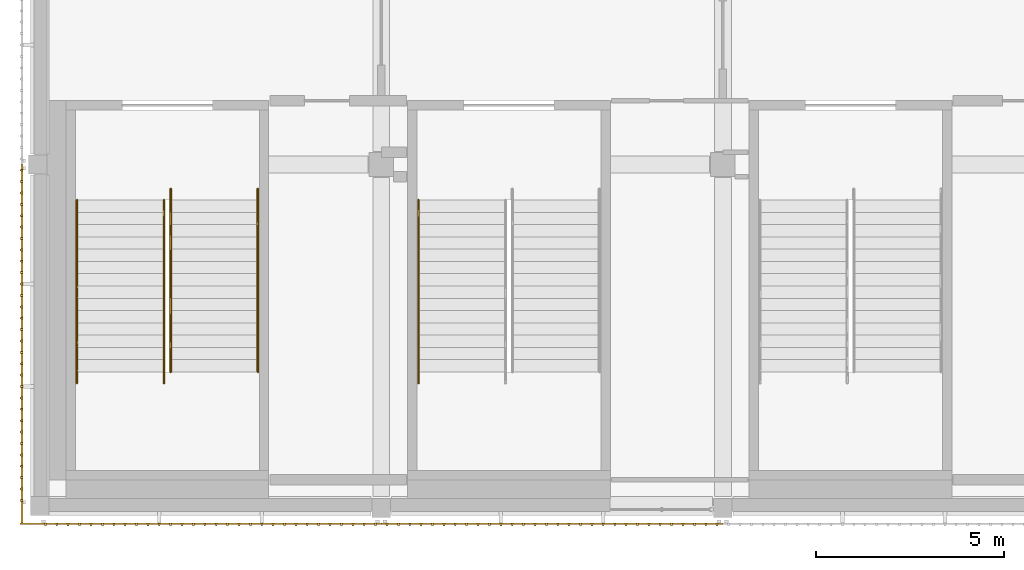
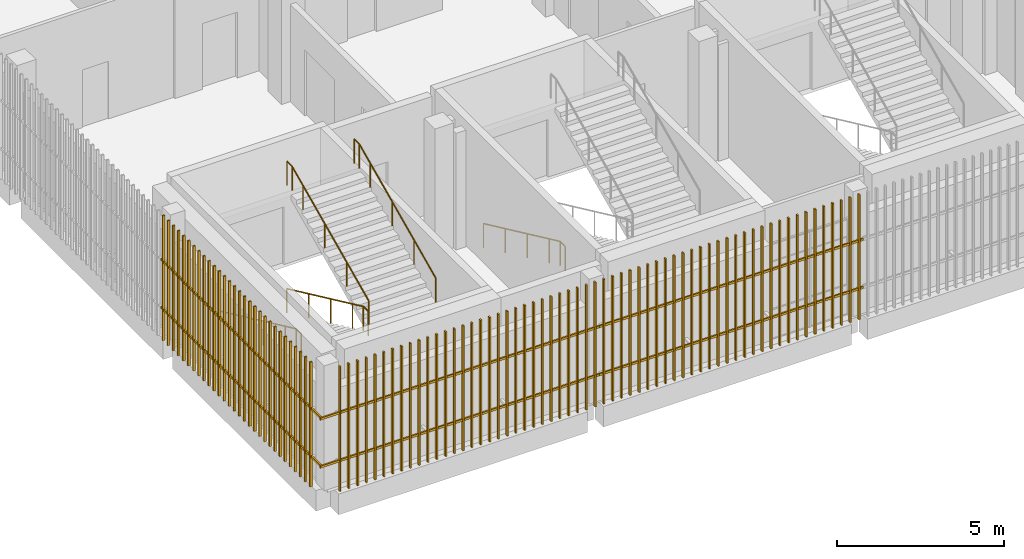
# One storey, part 87 of 104: 5 railings, 3 shading devices.
"""IFC4 building model written with IfcOpenShell, lengths in metres."""

from ifc_helpers import new_model, si_unit, direction, frame, origin, origin_2d, place, context, subcontext, project, spatial, rectangle, circle, extrude, material, type_object, element, save


model = new_model("IFC4")

# Units and contexts
model_context = context("Model", 3, precision=1e-05, world=origin(), true_north=direction((0.0, 1.0)))
body_context = subcontext(model_context, "Body", "Model", "MODEL_VIEW")
ifc_project = project(units=[si_unit("LENGTHUNIT", "METRE"), si_unit("AREAUNIT", "SQUARE_METRE"), si_unit("VOLUMEUNIT", "CUBIC_METRE"), si_unit("PLANEANGLEUNIT", "RADIAN"), si_unit("MASSUNIT", "GRAM", prefix="KILO")], contexts=[model_context])

# Site, building, storey
site_placement = place(None, origin())
site = spatial("IfcSite", under=ifc_project, at=site_placement, CompositionType="ELEMENT")
building_placement = place(site_placement, origin())
building = spatial("IfcBuilding", under=site, at=building_placement, Name="Shirokan Park Arena", CompositionType="ELEMENT")
storey_placement = place(building_placement, frame((0.0, 0.0, 10.919921875)))
storey = spatial("IfcBuildingStorey", under=building, at=storey_placement, Name="L02", CompositionType="ELEMENT", Elevation=10.919921875)

# Railings
ifc_material_1 = material(Name="Stainless steel", Category="steel")
railing_type = type_object("IfcRailingType", Name="Stair handrail 900", PredefinedType="HANDRAIL", material=ifc_material_1)
railing_1_placement = place(storey_placement, frame((0.989990234375, 8.14990234375, 0.15185546875)))
element("IfcRailing", 1, at=railing_1_placement, inside=storey, type_object=railing_type, Name="Handrail Exit Stair 1.A L02 to L03", PredefinedType="HANDRAIL", context=body_context, shape_type="SweptSolid", body=[
    extrude(circle(Radius=0.02392578125, at=origin_2d()), frame((0.0, 0.0, 0.8759765625), z_axis=(0.0, -0.907064445915, 0.420991794405), x_axis=(1.0, 0.0, 0.0)), (0.0, 0.0, 1.0), 1.4404296875),
    extrude(circle(Radius=0.02392578125, at=origin_2d()), frame((0.0, -1.306640625, 1.482421875), z_axis=(0.0, -0.907029769225, 0.421066500378), x_axis=(1.0, 0.0, 0.0)), (0.0, 0.0, 1.0), 1.44091796875),
    extrude(circle(Radius=0.02392578125, at=origin_2d()), frame((0.0, -2.613525390625, 2.0888671875), z_axis=(0.0, -0.907029769225, 0.421066500378), x_axis=(1.0, 0.0, 0.0)), (0.0, 0.0, 1.0), 1.44091796875),
    extrude(circle(Radius=0.02392578125, at=origin_2d()), frame((0.0, -3.92041015625, 2.69580078125), z_axis=(0.0, -0.906934982928, 0.421270621741), x_axis=(1.0, 0.0, 0.0)), (0.0, 0.0, 1.0), 0.720458984375),
    extrude(circle(Radius=0.02392578125, at=origin_2d()), frame((0.0, -4.57373046875, 2.9990234375), z_axis=(0.0, -1.0, 0.0), x_axis=(1.0, 0.0, 0.0)), (0.0, 0.0, 1.0), 0.300048828125),
    extrude(circle(Radius=0.02099609375, at=origin_2d()), origin(), (0.0, 0.0, 1.0), 0.851806640625),
    extrude(circle(Radius=0.02099609375, at=origin_2d()), frame((0.0, -1.306640625, 0.6064453125)), (0.0, 0.0, 1.0), 0.851806640625),
    extrude(circle(Radius=0.02099609375, at=origin_2d()), frame((0.0, -2.613525390625, 1.213134765625)), (0.0, 0.0, 1.0), 0.851806640625),
    extrude(circle(Radius=0.02099609375, at=origin_2d()), frame((0.0, -3.92041015625, 1.81982421875)), (0.0, 0.0, 1.0), 0.851806640625),
    extrude(circle(Radius=0.02099609375, at=origin_2d()), frame((0.0, -4.57373046875, 2.123291015625)), (0.0, 0.0, 1.0), 0.851806640625),
    extrude(circle(Radius=0.02099609375, at=origin_2d()), frame((0.0, -4.873779296875, 2.123291015625)), (0.0, 0.0, 1.0), 0.851806640625),
])
railing_2_placement = place(storey_placement, frame((3.31005859375, 8.14990234375, 0.15185546875)))
element("IfcRailing", 2, at=railing_2_placement, inside=storey, type_object=railing_type, Name="Handrail Exit Stair 1.A L02 to L03", PredefinedType="HANDRAIL", context=body_context, shape_type="SweptSolid", body=[
    extrude(circle(Radius=0.02392578125, at=origin_2d()), frame((0.0, 0.0, 0.8759765625), z_axis=(0.0, -0.907064445915, 0.420991794405), x_axis=(1.0, 0.0, 0.0)), (0.0, 0.0, 1.0), 1.4404296875),
    extrude(circle(Radius=0.02392578125, at=origin_2d()), frame((0.0, -1.306640625, 1.482421875), z_axis=(0.0, -0.907029769225, 0.421066500378), x_axis=(1.0, 0.0, 0.0)), (0.0, 0.0, 1.0), 1.44091796875),
    extrude(circle(Radius=0.02392578125, at=origin_2d()), frame((0.0, -2.613525390625, 2.0888671875), z_axis=(0.0, -0.907029769225, 0.421066500378), x_axis=(1.0, 0.0, 0.0)), (0.0, 0.0, 1.0), 1.44091796875),
    extrude(circle(Radius=0.02392578125, at=origin_2d()), frame((0.0, -3.92041015625, 2.69580078125), z_axis=(0.0, -0.906934982928, 0.421270621741), x_axis=(1.0, 0.0, 0.0)), (0.0, 0.0, 1.0), 0.720458984375),
    extrude(circle(Radius=0.02392578125, at=origin_2d()), frame((0.0, -4.57373046875, 2.9990234375), z_axis=(0.0, -1.0, 0.0), x_axis=(1.0, 0.0, 0.0)), (0.0, 0.0, 1.0), 0.300048828125),
    extrude(circle(Radius=0.02099609375, at=origin_2d()), origin(), (0.0, 0.0, 1.0), 0.851806640625),
    extrude(circle(Radius=0.02099609375, at=origin_2d()), frame((0.0, -1.306640625, 0.6064453125)), (0.0, 0.0, 1.0), 0.851806640625),
    extrude(circle(Radius=0.02099609375, at=origin_2d()), frame((0.0, -2.613525390625, 1.213134765625)), (0.0, 0.0, 1.0), 0.851806640625),
    extrude(circle(Radius=0.02099609375, at=origin_2d()), frame((0.0, -3.92041015625, 1.81982421875)), (0.0, 0.0, 1.0), 0.851806640625),
    extrude(circle(Radius=0.02099609375, at=origin_2d()), frame((0.0, -4.57373046875, 2.123291015625)), (0.0, 0.0, 1.0), 0.851806640625),
    extrude(circle(Radius=0.02099609375, at=origin_2d()), frame((0.0, -4.873779296875, 2.123291015625)), (0.0, 0.0, 1.0), 0.851806640625),
])
railing_3_placement = place(storey_placement, frame((3.489990234375, 3.576171875, 2.4267578125)))
element("IfcRailing", 3, at=railing_3_placement, inside=storey, type_object=railing_type, Name="Handrail Exit Stair 1.A L02 to L03", PredefinedType="HANDRAIL", context=body_context, shape_type="SweptSolid", body=[
    extrude(circle(Radius=0.02392578125, at=origin_2d()), frame((0.0, 0.0, 0.8759765625), z_axis=(0.0, 0.907029769225, 0.421066500378), x_axis=(-1.0, 0.0, 0.0)), (0.0, 0.0, 1.0), 1.44091796875),
    extrude(circle(Radius=0.02392578125, at=origin_2d()), frame((0.0, 1.306884765625, 1.482421875), z_axis=(0.0, 0.906999720516, 0.421131222998), x_axis=(-1.0, 0.0, 0.0)), (0.0, 0.0, 1.0), 1.440673828125),
    extrude(circle(Radius=0.02392578125, at=origin_2d()), frame((0.0, 2.613525390625, 2.08935546875), z_axis=(0.0, 0.907029769225, 0.421066500378), x_axis=(-1.0, 0.0, 0.0)), (0.0, 0.0, 1.0), 1.44091796875),
    extrude(circle(Radius=0.02392578125, at=origin_2d()), frame((0.0, 3.92041015625, 2.69580078125), z_axis=(0.0, 0.907064445915, 0.420991794405), x_axis=(-1.0, 0.0, 0.0)), (0.0, 0.0, 1.0), 0.72021484375),
    extrude(circle(Radius=0.02392578125, at=origin_2d()), frame((0.0, 4.57373046875, 2.9990234375), z_axis=(0.0, 1.0, 0.0), x_axis=(-1.0, 0.0, 0.0)), (0.0, 0.0, 1.0), 0.300048828125),
    extrude(circle(Radius=0.02099609375, at=origin_2d()), origin(), (0.0, 0.0, 1.0), 0.851806640625),
    extrude(circle(Radius=0.02099609375, at=origin_2d()), frame((0.0, 1.306884765625, 0.606689453125)), (0.0, 0.0, 1.0), 0.851806640625),
    extrude(circle(Radius=0.02099609375, at=origin_2d()), frame((0.0, 2.613525390625, 1.21337890625)), (0.0, 0.0, 1.0), 0.851806640625),
    extrude(circle(Radius=0.02099609375, at=origin_2d()), frame((0.0, 3.92041015625, 1.820068359375)), (0.0, 0.0, 1.0), 0.851806640625),
    extrude(circle(Radius=0.02099609375, at=origin_2d()), frame((0.0, 4.57373046875, 2.123291015625)), (0.0, 0.0, 1.0), 0.851806640625),
    extrude(circle(Radius=0.02099609375, at=origin_2d()), frame((0.0, 4.873779296875, 2.123291015625)), (0.0, 0.0, 1.0), 0.851806640625),
])
railing_4_placement = place(storey_placement, frame((5.81005859375, 3.576171875, 2.4267578125)))
element("IfcRailing", 4, at=railing_4_placement, inside=storey, type_object=railing_type, Name="Handrail Exit Stair 1.A L02 to L03", PredefinedType="HANDRAIL", context=body_context, shape_type="SweptSolid", body=[
    extrude(circle(Radius=0.02392578125, at=origin_2d()), frame((0.0, 0.0, 0.8759765625), z_axis=(0.0, 0.907029769225, 0.421066500378), x_axis=(-1.0, 0.0, 0.0)), (0.0, 0.0, 1.0), 1.44091796875),
    extrude(circle(Radius=0.02392578125, at=origin_2d()), frame((0.0, 1.306884765625, 1.482421875), z_axis=(0.0, 0.906999720516, 0.421131222998), x_axis=(-1.0, 0.0, 0.0)), (0.0, 0.0, 1.0), 1.440673828125),
    extrude(circle(Radius=0.02392578125, at=origin_2d()), frame((0.0, 2.613525390625, 2.08935546875), z_axis=(0.0, 0.907029769225, 0.421066500378), x_axis=(-1.0, 0.0, 0.0)), (0.0, 0.0, 1.0), 1.44091796875),
    extrude(circle(Radius=0.02392578125, at=origin_2d()), frame((0.0, 3.92041015625, 2.69580078125), z_axis=(0.0, 0.907064445915, 0.420991794405), x_axis=(-1.0, 0.0, 0.0)), (0.0, 0.0, 1.0), 0.72021484375),
    extrude(circle(Radius=0.02392578125, at=origin_2d()), frame((0.0, 4.57373046875, 2.9990234375), z_axis=(0.0, 1.0, 0.0), x_axis=(-1.0, 0.0, 0.0)), (0.0, 0.0, 1.0), 0.300048828125),
    extrude(circle(Radius=0.02099609375, at=origin_2d()), origin(), (0.0, 0.0, 1.0), 0.851806640625),
    extrude(circle(Radius=0.02099609375, at=origin_2d()), frame((0.0, 1.306884765625, 0.606689453125)), (0.0, 0.0, 1.0), 0.851806640625),
    extrude(circle(Radius=0.02099609375, at=origin_2d()), frame((0.0, 2.613525390625, 1.21337890625)), (0.0, 0.0, 1.0), 0.851806640625),
    extrude(circle(Radius=0.02099609375, at=origin_2d()), frame((0.0, 3.92041015625, 1.820068359375)), (0.0, 0.0, 1.0), 0.851806640625),
    extrude(circle(Radius=0.02099609375, at=origin_2d()), frame((0.0, 4.57373046875, 2.123291015625)), (0.0, 0.0, 1.0), 0.851806640625),
    extrude(circle(Radius=0.02099609375, at=origin_2d()), frame((0.0, 4.873779296875, 2.123291015625)), (0.0, 0.0, 1.0), 0.851806640625),
])
railing_5_placement = place(storey_placement, frame((10.090087890625, 8.14990234375, 0.15185546875)))
element("IfcRailing", 5, at=railing_5_placement, inside=storey, type_object=railing_type, Name="Handrail Exit Stair 1.B L02 to L03", PredefinedType="HANDRAIL", context=body_context, shape_type="SweptSolid", body=[
    extrude(circle(Radius=0.02392578125, at=origin_2d()), frame((0.0, 0.0, 0.8759765625), z_axis=(0.0, -0.907064445915, 0.420991794405), x_axis=(1.0, 0.0, 0.0)), (0.0, 0.0, 1.0), 1.4404296875),
    extrude(circle(Radius=0.02392578125, at=origin_2d()), frame((0.0, -1.306640625, 1.482421875), z_axis=(0.0, -0.907029769225, 0.421066500378), x_axis=(1.0, 0.0, 0.0)), (0.0, 0.0, 1.0), 1.44091796875),
    extrude(circle(Radius=0.02392578125, at=origin_2d()), frame((0.0, -2.613525390625, 2.0888671875), z_axis=(0.0, -0.907029769225, 0.421066500378), x_axis=(1.0, 0.0, 0.0)), (0.0, 0.0, 1.0), 1.44091796875),
    extrude(circle(Radius=0.02392578125, at=origin_2d()), frame((0.0, -3.92041015625, 2.69580078125), z_axis=(0.0, -0.906934982928, 0.421270621741), x_axis=(1.0, 0.0, 0.0)), (0.0, 0.0, 1.0), 0.720458984375),
    extrude(circle(Radius=0.02392578125, at=origin_2d()), frame((0.0, -4.57373046875, 2.9990234375), z_axis=(0.0, -1.0, 0.0), x_axis=(1.0, 0.0, 0.0)), (0.0, 0.0, 1.0), 0.300048828125),
    extrude(circle(Radius=0.02099609375, at=origin_2d()), origin(), (0.0, 0.0, 1.0), 0.851806640625),
    extrude(circle(Radius=0.02099609375, at=origin_2d()), frame((0.0, -1.306640625, 0.6064453125)), (0.0, 0.0, 1.0), 0.851806640625),
    extrude(circle(Radius=0.02099609375, at=origin_2d()), frame((0.0, -2.613525390625, 1.213134765625)), (0.0, 0.0, 1.0), 0.851806640625),
    extrude(circle(Radius=0.02099609375, at=origin_2d()), frame((0.0, -3.92041015625, 1.81982421875)), (0.0, 0.0, 1.0), 0.851806640625),
    extrude(circle(Radius=0.02099609375, at=origin_2d()), frame((0.0, -4.57373046875, 2.123291015625)), (0.0, 0.0, 1.0), 0.851806640625),
    extrude(circle(Radius=0.02099609375, at=origin_2d()), frame((0.0, -4.873779296875, 2.123291015625)), (0.0, 0.0, 1.0), 0.851806640625),
])

# Shading devices
ifc_material_2 = material(Name="Timber louvre veil (cedar)", Category="wood")
shading_device_type = type_object("IfcShadingDeviceType", Name="Timber louvre veil panel", PredefinedType="JALOUSIE", material=ifc_material_2)
shading_device_1_placement = place(storey_placement, origin())
element("IfcShadingDevice", 6, at=shading_device_1_placement, inside=storey, type_object=shading_device_type, Name="Timber louvre veil south bay 1 L02", PredefinedType="JALOUSIE", context=body_context, shape_type="SweptSolid", body=[
    extrude(rectangle(XDim=0.050048828125, YDim=0.080078125, at=origin_2d()), frame((0.151611328125, -0.485107421875, 0.0), z_axis=(0.0, 0.0, 1.0), x_axis=(1.0, 0.0, 0.0)), (0.0, 0.0, 1.0), 4.550048828125),
    extrude(rectangle(XDim=0.050048828125, YDim=0.080078125, at=origin_2d()), frame((0.455078125, -0.485107421875, 0.0), z_axis=(0.0, 0.0, 1.0), x_axis=(1.0, 0.0, 0.0)), (0.0, 0.0, 1.0), 4.550048828125),
    extrude(rectangle(XDim=0.050048828125, YDim=0.080078125, at=origin_2d()), frame((0.75830078125, -0.485107421875, 0.0), z_axis=(0.0, 0.0, 1.0), x_axis=(1.0, 0.0, 0.0)), (0.0, 0.0, 1.0), 4.550048828125),
    extrude(rectangle(XDim=0.050048828125, YDim=0.080078125, at=origin_2d()), frame((1.061767578125, -0.485107421875, 0.0), z_axis=(0.0, 0.0, 1.0), x_axis=(1.0, 0.0, 0.0)), (0.0, 0.0, 1.0), 4.550048828125),
    extrude(rectangle(XDim=0.050048828125, YDim=0.080078125, at=origin_2d()), frame((1.364990234375, -0.485107421875, 0.0), z_axis=(0.0, 0.0, 1.0), x_axis=(1.0, 0.0, 0.0)), (0.0, 0.0, 1.0), 4.550048828125),
    extrude(rectangle(XDim=0.050048828125, YDim=0.080078125, at=origin_2d()), frame((1.668212890625, -0.485107421875, 0.0), z_axis=(0.0, 0.0, 1.0), x_axis=(1.0, 0.0, 0.0)), (0.0, 0.0, 1.0), 4.550048828125),
    extrude(rectangle(XDim=0.050048828125, YDim=0.080078125, at=origin_2d()), frame((1.9716796875, -0.485107421875, 0.0), z_axis=(0.0, 0.0, 1.0), x_axis=(1.0, 0.0, 0.0)), (0.0, 0.0, 1.0), 4.550048828125),
    extrude(rectangle(XDim=0.050048828125, YDim=0.080078125, at=origin_2d()), frame((2.27490234375, -0.485107421875, 0.0), z_axis=(0.0, 0.0, 1.0), x_axis=(1.0, 0.0, 0.0)), (0.0, 0.0, 1.0), 4.550048828125),
    extrude(rectangle(XDim=0.050048828125, YDim=0.080078125, at=origin_2d()), frame((2.578369140625, -0.485107421875, 0.0), z_axis=(0.0, 0.0, 1.0), x_axis=(1.0, 0.0, 0.0)), (0.0, 0.0, 1.0), 4.550048828125),
    extrude(rectangle(XDim=0.050048828125, YDim=0.080078125, at=origin_2d()), frame((2.881591796875, -0.485107421875, 0.0), z_axis=(0.0, 0.0, 1.0), x_axis=(1.0, 0.0, 0.0)), (0.0, 0.0, 1.0), 4.550048828125),
    extrude(rectangle(XDim=0.050048828125, YDim=0.080078125, at=origin_2d()), frame((3.18505859375, -0.485107421875, 0.0), z_axis=(0.0, 0.0, 1.0), x_axis=(1.0, 0.0, 0.0)), (0.0, 0.0, 1.0), 4.550048828125),
    extrude(rectangle(XDim=0.050048828125, YDim=0.080078125, at=origin_2d()), frame((3.48828125, -0.485107421875, 0.0), z_axis=(0.0, 0.0, 1.0), x_axis=(1.0, 0.0, 0.0)), (0.0, 0.0, 1.0), 4.550048828125),
    extrude(rectangle(XDim=0.050048828125, YDim=0.080078125, at=origin_2d()), frame((3.791748046875, -0.485107421875, 0.0), z_axis=(0.0, 0.0, 1.0), x_axis=(1.0, 0.0, 0.0)), (0.0, 0.0, 1.0), 4.550048828125),
    extrude(rectangle(XDim=0.050048828125, YDim=0.080078125, at=origin_2d()), frame((4.094970703125, -0.485107421875, 0.0), z_axis=(0.0, 0.0, 1.0), x_axis=(1.0, 0.0, 0.0)), (0.0, 0.0, 1.0), 4.550048828125),
    extrude(rectangle(XDim=0.050048828125, YDim=0.080078125, at=origin_2d()), frame((4.3984375, -0.485107421875, 0.0), z_axis=(0.0, 0.0, 1.0), x_axis=(1.0, 0.0, 0.0)), (0.0, 0.0, 1.0), 4.550048828125),
    extrude(rectangle(XDim=0.050048828125, YDim=0.080078125, at=origin_2d()), frame((4.70166015625, -0.485107421875, 0.0), z_axis=(0.0, 0.0, 1.0), x_axis=(1.0, 0.0, 0.0)), (0.0, 0.0, 1.0), 4.550048828125),
    extrude(rectangle(XDim=0.050048828125, YDim=0.080078125, at=origin_2d()), frame((5.0048828125, -0.485107421875, 0.0), z_axis=(0.0, 0.0, 1.0), x_axis=(1.0, 0.0, 0.0)), (0.0, 0.0, 1.0), 4.550048828125),
    extrude(rectangle(XDim=0.050048828125, YDim=0.080078125, at=origin_2d()), frame((5.308349609375, -0.485107421875, 0.0), z_axis=(0.0, 0.0, 1.0), x_axis=(1.0, 0.0, 0.0)), (0.0, 0.0, 1.0), 4.550048828125),
    extrude(rectangle(XDim=0.050048828125, YDim=0.080078125, at=origin_2d()), frame((5.611572265625, -0.485107421875, 0.0), z_axis=(0.0, 0.0, 1.0), x_axis=(1.0, 0.0, 0.0)), (0.0, 0.0, 1.0), 4.550048828125),
    extrude(rectangle(XDim=0.050048828125, YDim=0.080078125, at=origin_2d()), frame((5.9150390625, -0.485107421875, 0.0), z_axis=(0.0, 0.0, 1.0), x_axis=(1.0, 0.0, 0.0)), (0.0, 0.0, 1.0), 4.550048828125),
    extrude(rectangle(XDim=0.050048828125, YDim=0.080078125, at=origin_2d()), frame((6.21826171875, -0.485107421875, 0.0), z_axis=(0.0, 0.0, 1.0), x_axis=(1.0, 0.0, 0.0)), (0.0, 0.0, 1.0), 4.550048828125),
    extrude(rectangle(XDim=0.050048828125, YDim=0.080078125, at=origin_2d()), frame((6.521728515625, -0.485107421875, 0.0), z_axis=(0.0, 0.0, 1.0), x_axis=(1.0, 0.0, 0.0)), (0.0, 0.0, 1.0), 4.550048828125),
    extrude(rectangle(XDim=0.050048828125, YDim=0.080078125, at=origin_2d()), frame((6.824951171875, -0.485107421875, 0.0), z_axis=(0.0, 0.0, 1.0), x_axis=(1.0, 0.0, 0.0)), (0.0, 0.0, 1.0), 4.550048828125),
    extrude(rectangle(XDim=0.050048828125, YDim=0.080078125, at=origin_2d()), frame((7.12841796875, -0.485107421875, 0.0), z_axis=(0.0, 0.0, 1.0), x_axis=(1.0, 0.0, 0.0)), (0.0, 0.0, 1.0), 4.550048828125),
    extrude(rectangle(XDim=0.050048828125, YDim=0.080078125, at=origin_2d()), frame((7.431640625, -0.485107421875, 0.0), z_axis=(0.0, 0.0, 1.0), x_axis=(1.0, 0.0, 0.0)), (0.0, 0.0, 1.0), 4.550048828125),
    extrude(rectangle(XDim=0.050048828125, YDim=0.080078125, at=origin_2d()), frame((7.735107421875, -0.485107421875, 0.0), z_axis=(0.0, 0.0, 1.0), x_axis=(1.0, 0.0, 0.0)), (0.0, 0.0, 1.0), 4.550048828125),
    extrude(rectangle(XDim=0.050048828125, YDim=0.080078125, at=origin_2d()), frame((8.038330078125, -0.485107421875, 0.0), z_axis=(0.0, 0.0, 1.0), x_axis=(1.0, 0.0, 0.0)), (0.0, 0.0, 1.0), 4.550048828125),
    extrude(rectangle(XDim=0.050048828125, YDim=0.080078125, at=origin_2d()), frame((8.341552734375, -0.485107421875, 0.0), z_axis=(0.0, 0.0, 1.0), x_axis=(1.0, 0.0, 0.0)), (0.0, 0.0, 1.0), 4.550048828125),
    extrude(rectangle(XDim=0.050048828125, YDim=0.080078125, at=origin_2d()), frame((8.64501953125, -0.485107421875, 0.0), z_axis=(0.0, 0.0, 1.0), x_axis=(1.0, 0.0, 0.0)), (0.0, 0.0, 1.0), 4.550048828125),
    extrude(rectangle(XDim=0.050048828125, YDim=0.080078125, at=origin_2d()), frame((8.9482421875, -0.485107421875, 0.0), z_axis=(0.0, 0.0, 1.0), x_axis=(1.0, 0.0, 0.0)), (0.0, 0.0, 1.0), 4.550048828125),
    extrude(rectangle(XDim=9.625, YDim=0.050048828125, at=origin_2d()), frame((4.28759765625, -0.469970703125, 1.06005859375), z_axis=(0.0, 0.0, 1.0), x_axis=(1.0, 0.0, 0.0)), (0.0, 0.0, 1.0), 0.080078125),
    extrude(rectangle(XDim=9.625, YDim=0.050048828125, at=origin_2d()), frame((4.28759765625, -0.469970703125, 2.81005859375), z_axis=(0.0, 0.0, 1.0), x_axis=(1.0, 0.0, 0.0)), (0.0, 0.0, 1.0), 0.080078125),
])
shading_device_2_placement = place(storey_placement, origin())
element("IfcShadingDevice", 7, at=shading_device_2_placement, inside=storey, type_object=shading_device_type, Name="Timber louvre veil south bay 2 L02", PredefinedType="JALOUSIE", context=body_context, shape_type="SweptSolid", body=[
    extrude(rectangle(XDim=0.050048828125, YDim=0.080078125, at=origin_2d()), frame((9.251708984375, -0.485107421875, 0.0), z_axis=(0.0, 0.0, 1.0), x_axis=(1.0, 0.0, 0.0)), (0.0, 0.0, 1.0), 4.550048828125),
    extrude(rectangle(XDim=0.050048828125, YDim=0.080078125, at=origin_2d()), frame((9.554931640625, -0.485107421875, 0.0), z_axis=(0.0, 0.0, 1.0), x_axis=(1.0, 0.0, 0.0)), (0.0, 0.0, 1.0), 4.550048828125),
    extrude(rectangle(XDim=0.050048828125, YDim=0.080078125, at=origin_2d()), frame((9.8583984375, -0.485107421875, 0.0), z_axis=(0.0, 0.0, 1.0), x_axis=(1.0, 0.0, 0.0)), (0.0, 0.0, 1.0), 4.550048828125),
    extrude(rectangle(XDim=0.050048828125, YDim=0.080078125, at=origin_2d()), frame((10.16162109375, -0.485107421875, 0.0), z_axis=(0.0, 0.0, 1.0), x_axis=(1.0, 0.0, 0.0)), (0.0, 0.0, 1.0), 4.550048828125),
    extrude(rectangle(XDim=0.050048828125, YDim=0.080078125, at=origin_2d()), frame((10.465087890625, -0.485107421875, 0.0), z_axis=(0.0, 0.0, 1.0), x_axis=(1.0, 0.0, 0.0)), (0.0, 0.0, 1.0), 4.550048828125),
    extrude(rectangle(XDim=0.050048828125, YDim=0.080078125, at=origin_2d()), frame((10.768310546875, -0.485107421875, 0.0), z_axis=(0.0, 0.0, 1.0), x_axis=(1.0, 0.0, 0.0)), (0.0, 0.0, 1.0), 4.550048828125),
    extrude(rectangle(XDim=0.050048828125, YDim=0.080078125, at=origin_2d()), frame((11.07177734375, -0.485107421875, 0.0), z_axis=(0.0, 0.0, 1.0), x_axis=(1.0, 0.0, 0.0)), (0.0, 0.0, 1.0), 4.550048828125),
    extrude(rectangle(XDim=0.050048828125, YDim=0.080078125, at=origin_2d()), frame((11.375, -0.485107421875, 0.0), z_axis=(0.0, 0.0, 1.0), x_axis=(1.0, 0.0, 0.0)), (0.0, 0.0, 1.0), 4.550048828125),
    extrude(rectangle(XDim=0.050048828125, YDim=0.080078125, at=origin_2d()), frame((11.67822265625, -0.485107421875, 0.0), z_axis=(0.0, 0.0, 1.0), x_axis=(1.0, 0.0, 0.0)), (0.0, 0.0, 1.0), 4.550048828125),
    extrude(rectangle(XDim=0.050048828125, YDim=0.080078125, at=origin_2d()), frame((11.981689453125, -0.485107421875, 0.0), z_axis=(0.0, 0.0, 1.0), x_axis=(1.0, 0.0, 0.0)), (0.0, 0.0, 1.0), 4.550048828125),
    extrude(rectangle(XDim=0.050048828125, YDim=0.080078125, at=origin_2d()), frame((12.284912109375, -0.485107421875, 0.0), z_axis=(0.0, 0.0, 1.0), x_axis=(1.0, 0.0, 0.0)), (0.0, 0.0, 1.0), 4.550048828125),
    extrude(rectangle(XDim=0.050048828125, YDim=0.080078125, at=origin_2d()), frame((12.58837890625, -0.485107421875, 0.0), z_axis=(0.0, 0.0, 1.0), x_axis=(1.0, 0.0, 0.0)), (0.0, 0.0, 1.0), 4.550048828125),
    extrude(rectangle(XDim=0.050048828125, YDim=0.080078125, at=origin_2d()), frame((12.8916015625, -0.485107421875, 0.0), z_axis=(0.0, 0.0, 1.0), x_axis=(1.0, 0.0, 0.0)), (0.0, 0.0, 1.0), 4.550048828125),
    extrude(rectangle(XDim=0.050048828125, YDim=0.080078125, at=origin_2d()), frame((13.195068359375, -0.485107421875, 0.0), z_axis=(0.0, 0.0, 1.0), x_axis=(1.0, 0.0, 0.0)), (0.0, 0.0, 1.0), 4.550048828125),
    extrude(rectangle(XDim=0.050048828125, YDim=0.080078125, at=origin_2d()), frame((13.498291015625, -0.485107421875, 0.0), z_axis=(0.0, 0.0, 1.0), x_axis=(1.0, 0.0, 0.0)), (0.0, 0.0, 1.0), 4.550048828125),
    extrude(rectangle(XDim=0.050048828125, YDim=0.080078125, at=origin_2d()), frame((13.8017578125, -0.485107421875, 0.0), z_axis=(0.0, 0.0, 1.0), x_axis=(1.0, 0.0, 0.0)), (0.0, 0.0, 1.0), 4.550048828125),
    extrude(rectangle(XDim=0.050048828125, YDim=0.080078125, at=origin_2d()), frame((14.10498046875, -0.485107421875, 0.0), z_axis=(0.0, 0.0, 1.0), x_axis=(1.0, 0.0, 0.0)), (0.0, 0.0, 1.0), 4.550048828125),
    extrude(rectangle(XDim=0.050048828125, YDim=0.080078125, at=origin_2d()), frame((14.408447265625, -0.485107421875, 0.0), z_axis=(0.0, 0.0, 1.0), x_axis=(1.0, 0.0, 0.0)), (0.0, 0.0, 1.0), 4.550048828125),
    extrude(rectangle(XDim=0.050048828125, YDim=0.080078125, at=origin_2d()), frame((14.711669921875, -0.485107421875, 0.0), z_axis=(0.0, 0.0, 1.0), x_axis=(1.0, 0.0, 0.0)), (0.0, 0.0, 1.0), 4.550048828125),
    extrude(rectangle(XDim=0.050048828125, YDim=0.080078125, at=origin_2d()), frame((15.014892578125, -0.485107421875, 0.0), z_axis=(0.0, 0.0, 1.0), x_axis=(1.0, 0.0, 0.0)), (0.0, 0.0, 1.0), 4.550048828125),
    extrude(rectangle(XDim=0.050048828125, YDim=0.080078125, at=origin_2d()), frame((15.318359375, -0.485107421875, 0.0), z_axis=(0.0, 0.0, 1.0), x_axis=(1.0, 0.0, 0.0)), (0.0, 0.0, 1.0), 4.550048828125),
    extrude(rectangle(XDim=0.050048828125, YDim=0.080078125, at=origin_2d()), frame((15.62158203125, -0.485107421875, 0.0), z_axis=(0.0, 0.0, 1.0), x_axis=(1.0, 0.0, 0.0)), (0.0, 0.0, 1.0), 4.550048828125),
    extrude(rectangle(XDim=0.050048828125, YDim=0.080078125, at=origin_2d()), frame((15.925048828125, -0.485107421875, 0.0), z_axis=(0.0, 0.0, 1.0), x_axis=(1.0, 0.0, 0.0)), (0.0, 0.0, 1.0), 4.550048828125),
    extrude(rectangle(XDim=0.050048828125, YDim=0.080078125, at=origin_2d()), frame((16.228271484375, -0.485107421875, 0.0), z_axis=(0.0, 0.0, 1.0), x_axis=(1.0, 0.0, 0.0)), (0.0, 0.0, 1.0), 4.550048828125),
    extrude(rectangle(XDim=0.050048828125, YDim=0.080078125, at=origin_2d()), frame((16.53173828125, -0.485107421875, 0.0), z_axis=(0.0, 0.0, 1.0), x_axis=(1.0, 0.0, 0.0)), (0.0, 0.0, 1.0), 4.550048828125),
    extrude(rectangle(XDim=0.050048828125, YDim=0.080078125, at=origin_2d()), frame((16.8349609375, -0.485107421875, 0.0), z_axis=(0.0, 0.0, 1.0), x_axis=(1.0, 0.0, 0.0)), (0.0, 0.0, 1.0), 4.550048828125),
    extrude(rectangle(XDim=0.050048828125, YDim=0.080078125, at=origin_2d()), frame((17.138427734375, -0.485107421875, 0.0), z_axis=(0.0, 0.0, 1.0), x_axis=(1.0, 0.0, 0.0)), (0.0, 0.0, 1.0), 4.550048828125),
    extrude(rectangle(XDim=0.050048828125, YDim=0.080078125, at=origin_2d()), frame((17.441650390625, -0.485107421875, 0.0), z_axis=(0.0, 0.0, 1.0), x_axis=(1.0, 0.0, 0.0)), (0.0, 0.0, 1.0), 4.550048828125),
    extrude(rectangle(XDim=0.050048828125, YDim=0.080078125, at=origin_2d()), frame((17.7451171875, -0.485107421875, 0.0), z_axis=(0.0, 0.0, 1.0), x_axis=(1.0, 0.0, 0.0)), (0.0, 0.0, 1.0), 4.550048828125),
    extrude(rectangle(XDim=0.050048828125, YDim=0.080078125, at=origin_2d()), frame((18.04833984375, -0.485107421875, 0.0), z_axis=(0.0, 0.0, 1.0), x_axis=(1.0, 0.0, 0.0)), (0.0, 0.0, 1.0), 4.550048828125),
    extrude(rectangle(XDim=9.10009765625, YDim=0.050048828125, at=origin_2d()), frame((13.64990234375, -0.469970703125, 1.06005859375), z_axis=(0.0, 0.0, 1.0), x_axis=(1.0, 0.0, 0.0)), (0.0, 0.0, 1.0), 0.080078125),
    extrude(rectangle(XDim=9.10009765625, YDim=0.050048828125, at=origin_2d()), frame((13.64990234375, -0.469970703125, 2.81005859375), z_axis=(0.0, 0.0, 1.0), x_axis=(1.0, 0.0, 0.0)), (0.0, 0.0, 1.0), 0.080078125),
])
shading_device_3_placement = place(storey_placement, origin())
element("IfcShadingDevice", 8, at=shading_device_3_placement, inside=storey, type_object=shading_device_type, Name="Timber louvre veil west bay 12 L02", PredefinedType="JALOUSIE", context=body_context, shape_type="SweptSolid", body=[
    extrude(rectangle(XDim=0.050048828125, YDim=0.080078125, at=origin_2d()), frame((-0.485107421875, 8.9482421875, 0.0), z_axis=(0.0, 0.0, 1.0), x_axis=(0.0, -1.0, 0.0)), (0.0, 0.0, 1.0), 4.550048828125),
    extrude(rectangle(XDim=0.050048828125, YDim=0.080078125, at=origin_2d()), frame((-0.485107421875, 8.64501953125, 0.0), z_axis=(0.0, 0.0, 1.0), x_axis=(0.0, -1.0, 0.0)), (0.0, 0.0, 1.0), 4.550048828125),
    extrude(rectangle(XDim=0.050048828125, YDim=0.080078125, at=origin_2d()), frame((-0.485107421875, 8.341552734375, 0.0), z_axis=(0.0, 0.0, 1.0), x_axis=(0.0, -1.0, 0.0)), (0.0, 0.0, 1.0), 4.550048828125),
    extrude(rectangle(XDim=0.050048828125, YDim=0.080078125, at=origin_2d()), frame((-0.485107421875, 8.038330078125, 0.0), z_axis=(0.0, 0.0, 1.0), x_axis=(0.0, -1.0, 0.0)), (0.0, 0.0, 1.0), 4.550048828125),
    extrude(rectangle(XDim=0.050048828125, YDim=0.080078125, at=origin_2d()), frame((-0.485107421875, 7.735107421875, 0.0), z_axis=(0.0, 0.0, 1.0), x_axis=(0.0, -1.0, 0.0)), (0.0, 0.0, 1.0), 4.550048828125),
    extrude(rectangle(XDim=0.050048828125, YDim=0.080078125, at=origin_2d()), frame((-0.485107421875, 7.431640625, 0.0), z_axis=(0.0, 0.0, 1.0), x_axis=(0.0, -1.0, 0.0)), (0.0, 0.0, 1.0), 4.550048828125),
    extrude(rectangle(XDim=0.050048828125, YDim=0.080078125, at=origin_2d()), frame((-0.485107421875, 7.12841796875, 0.0), z_axis=(0.0, 0.0, 1.0), x_axis=(0.0, -1.0, 0.0)), (0.0, 0.0, 1.0), 4.550048828125),
    extrude(rectangle(XDim=0.050048828125, YDim=0.080078125, at=origin_2d()), frame((-0.485107421875, 6.824951171875, 0.0), z_axis=(0.0, 0.0, 1.0), x_axis=(0.0, -1.0, 0.0)), (0.0, 0.0, 1.0), 4.550048828125),
    extrude(rectangle(XDim=0.050048828125, YDim=0.080078125, at=origin_2d()), frame((-0.485107421875, 6.521728515625, 0.0), z_axis=(0.0, 0.0, 1.0), x_axis=(0.0, -1.0, 0.0)), (0.0, 0.0, 1.0), 4.550048828125),
    extrude(rectangle(XDim=0.050048828125, YDim=0.080078125, at=origin_2d()), frame((-0.485107421875, 6.21826171875, 0.0), z_axis=(0.0, 0.0, 1.0), x_axis=(0.0, -1.0, 0.0)), (0.0, 0.0, 1.0), 4.550048828125),
    extrude(rectangle(XDim=0.050048828125, YDim=0.080078125, at=origin_2d()), frame((-0.485107421875, 5.9150390625, 0.0), z_axis=(0.0, 0.0, 1.0), x_axis=(0.0, -1.0, 0.0)), (0.0, 0.0, 1.0), 4.550048828125),
    extrude(rectangle(XDim=0.050048828125, YDim=0.080078125, at=origin_2d()), frame((-0.485107421875, 5.611572265625, 0.0), z_axis=(0.0, 0.0, 1.0), x_axis=(0.0, -1.0, 0.0)), (0.0, 0.0, 1.0), 4.550048828125),
    extrude(rectangle(XDim=0.050048828125, YDim=0.080078125, at=origin_2d()), frame((-0.485107421875, 5.308349609375, 0.0), z_axis=(0.0, 0.0, 1.0), x_axis=(0.0, -1.0, 0.0)), (0.0, 0.0, 1.0), 4.550048828125),
    extrude(rectangle(XDim=0.050048828125, YDim=0.080078125, at=origin_2d()), frame((-0.485107421875, 5.0048828125, 0.0), z_axis=(0.0, 0.0, 1.0), x_axis=(0.0, -1.0, 0.0)), (0.0, 0.0, 1.0), 4.550048828125),
    extrude(rectangle(XDim=0.050048828125, YDim=0.080078125, at=origin_2d()), frame((-0.485107421875, 4.70166015625, 0.0), z_axis=(0.0, 0.0, 1.0), x_axis=(0.0, -1.0, 0.0)), (0.0, 0.0, 1.0), 4.550048828125),
    extrude(rectangle(XDim=0.050048828125, YDim=0.080078125, at=origin_2d()), frame((-0.485107421875, 4.3984375, 0.0), z_axis=(0.0, 0.0, 1.0), x_axis=(0.0, -1.0, 0.0)), (0.0, 0.0, 1.0), 4.550048828125),
    extrude(rectangle(XDim=0.050048828125, YDim=0.080078125, at=origin_2d()), frame((-0.485107421875, 4.094970703125, 0.0), z_axis=(0.0, 0.0, 1.0), x_axis=(0.0, -1.0, 0.0)), (0.0, 0.0, 1.0), 4.550048828125),
    extrude(rectangle(XDim=0.050048828125, YDim=0.080078125, at=origin_2d()), frame((-0.485107421875, 3.791748046875, 0.0), z_axis=(0.0, 0.0, 1.0), x_axis=(0.0, -1.0, 0.0)), (0.0, 0.0, 1.0), 4.550048828125),
    extrude(rectangle(XDim=0.050048828125, YDim=0.080078125, at=origin_2d()), frame((-0.485107421875, 3.48828125, 0.0), z_axis=(0.0, 0.0, 1.0), x_axis=(0.0, -1.0, 0.0)), (0.0, 0.0, 1.0), 4.550048828125),
    extrude(rectangle(XDim=0.050048828125, YDim=0.080078125, at=origin_2d()), frame((-0.485107421875, 3.18505859375, 0.0), z_axis=(0.0, 0.0, 1.0), x_axis=(0.0, -1.0, 0.0)), (0.0, 0.0, 1.0), 4.550048828125),
    extrude(rectangle(XDim=0.050048828125, YDim=0.080078125, at=origin_2d()), frame((-0.485107421875, 2.881591796875, 0.0), z_axis=(0.0, 0.0, 1.0), x_axis=(0.0, -1.0, 0.0)), (0.0, 0.0, 1.0), 4.550048828125),
    extrude(rectangle(XDim=0.050048828125, YDim=0.080078125, at=origin_2d()), frame((-0.485107421875, 2.578369140625, 0.0), z_axis=(0.0, 0.0, 1.0), x_axis=(0.0, -1.0, 0.0)), (0.0, 0.0, 1.0), 4.550048828125),
    extrude(rectangle(XDim=0.050048828125, YDim=0.080078125, at=origin_2d()), frame((-0.485107421875, 2.27490234375, 0.0), z_axis=(0.0, 0.0, 1.0), x_axis=(0.0, -1.0, 0.0)), (0.0, 0.0, 1.0), 4.550048828125),
    extrude(rectangle(XDim=0.050048828125, YDim=0.080078125, at=origin_2d()), frame((-0.485107421875, 1.9716796875, 0.0), z_axis=(0.0, 0.0, 1.0), x_axis=(0.0, -1.0, 0.0)), (0.0, 0.0, 1.0), 4.550048828125),
    extrude(rectangle(XDim=0.050048828125, YDim=0.080078125, at=origin_2d()), frame((-0.485107421875, 1.668212890625, 0.0), z_axis=(0.0, 0.0, 1.0), x_axis=(0.0, -1.0, 0.0)), (0.0, 0.0, 1.0), 4.550048828125),
    extrude(rectangle(XDim=0.050048828125, YDim=0.080078125, at=origin_2d()), frame((-0.485107421875, 1.364990234375, 0.0), z_axis=(0.0, 0.0, 1.0), x_axis=(0.0, -1.0, 0.0)), (0.0, 0.0, 1.0), 4.550048828125),
    extrude(rectangle(XDim=0.050048828125, YDim=0.080078125, at=origin_2d()), frame((-0.485107421875, 1.061767578125, 0.0), z_axis=(0.0, 0.0, 1.0), x_axis=(0.0, -1.0, 0.0)), (0.0, 0.0, 1.0), 4.550048828125),
    extrude(rectangle(XDim=0.050048828125, YDim=0.080078125, at=origin_2d()), frame((-0.485107421875, 0.75830078125, 0.0), z_axis=(0.0, 0.0, 1.0), x_axis=(0.0, -1.0, 0.0)), (0.0, 0.0, 1.0), 4.550048828125),
    extrude(rectangle(XDim=0.050048828125, YDim=0.080078125, at=origin_2d()), frame((-0.485107421875, 0.455078125, 0.0), z_axis=(0.0, 0.0, 1.0), x_axis=(0.0, -1.0, 0.0)), (0.0, 0.0, 1.0), 4.550048828125),
    extrude(rectangle(XDim=0.050048828125, YDim=0.080078125, at=origin_2d()), frame((-0.485107421875, 0.151611328125, 0.0), z_axis=(0.0, 0.0, 1.0), x_axis=(0.0, -1.0, 0.0)), (0.0, 0.0, 1.0), 4.550048828125),
    extrude(rectangle(XDim=9.544921875, YDim=0.050048828125, at=origin_2d()), frame((-0.469970703125, 4.327392578125, 1.06005859375), z_axis=(0.0, 0.0, 1.0), x_axis=(0.0, -1.0, 0.0)), (0.0, 0.0, 1.0), 0.080078125),
    extrude(rectangle(XDim=9.544921875, YDim=0.050048828125, at=origin_2d()), frame((-0.469970703125, 4.327392578125, 2.81005859375), z_axis=(0.0, 0.0, 1.0), x_axis=(0.0, -1.0, 0.0)), (0.0, 0.0, 1.0), 0.080078125),
])

save(model, "model.ifc")
